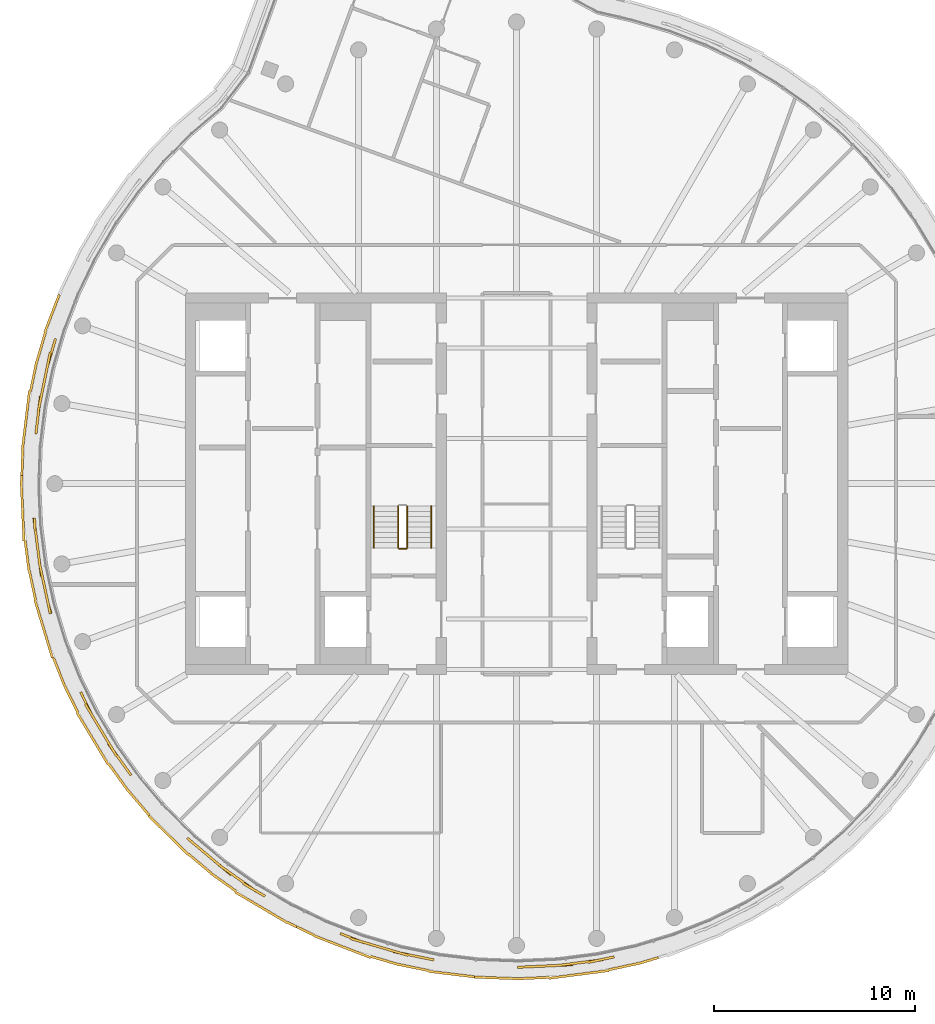
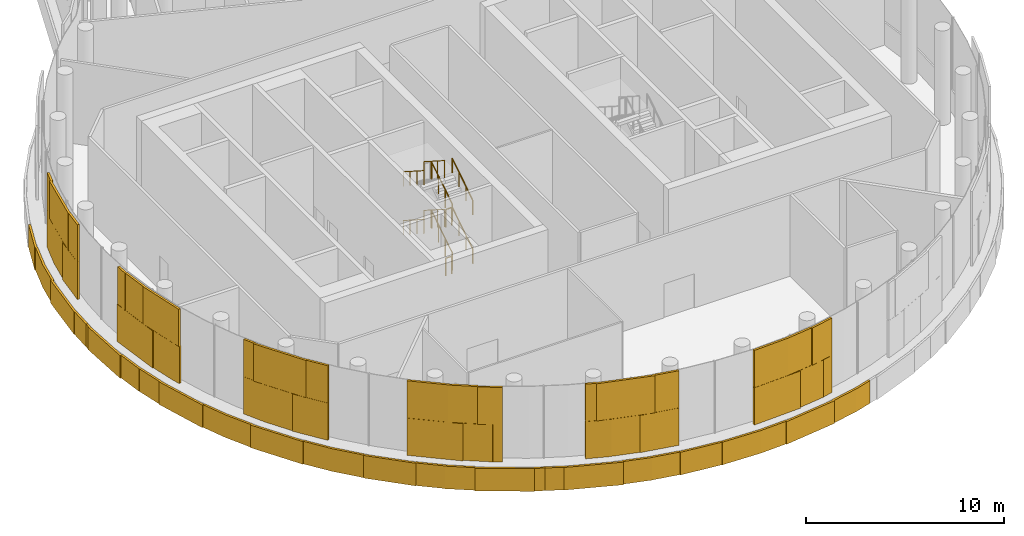
# One storey, part 15 of 18: 10 railings, 6 coverings.
"""IFC4 building model written with IfcOpenShell, lengths in metres."""

from ifc_helpers import new_model, si_unit, direction, frame, origin, origin_2d, place, context, subcontext, project, spatial, rectangle, circle, extrude, material, layer, layer_set, type_object, element, save


model = new_model("IFC4")

# Units and contexts
model_context = context("Model", 3, precision=1e-05, world=origin(), true_north=direction((0.0, 1.0)))
body_context = subcontext(model_context, "Body", "Model", "MODEL_VIEW")
ifc_project = project(units=[si_unit("LENGTHUNIT", "METRE"), si_unit("AREAUNIT", "SQUARE_METRE"), si_unit("VOLUMEUNIT", "CUBIC_METRE"), si_unit("PLANEANGLEUNIT", "RADIAN"), si_unit("MASSUNIT", "GRAM", prefix="KILO")], contexts=[model_context])

# Site, building, storey
site_placement = place(None, origin())
site = spatial("IfcSite", under=ifc_project, at=site_placement, CompositionType="ELEMENT")
building_placement = place(site_placement, origin())
building = spatial("IfcBuilding", under=site, at=building_placement, Name="Tamarind Cross Interchange Tower", CompositionType="ELEMENT")
storey_placement = place(building_placement, frame((0.0, 0.0, 299.39990234375)))
storey = spatial("IfcBuildingStorey", under=building, at=storey_placement, Name="L74", CompositionType="ELEMENT", Elevation=299.39990234375)

# Railings
ifc_material_1 = material(Name="Stair guard")
railing_type_1 = type_object("IfcRailingType", Name="Stair guard", PredefinedType="GUARDRAIL", material=ifc_material_1)
railing_1_placement = place(storey_placement, frame((-5.449951171875, -3.199951171875, 0.166748046875)))
element("IfcRailing", 1, at=railing_1_placement, inside=storey, type_object=railing_type_1, Name="L74 ST1 stair guard 1", PredefinedType="GUARDRAIL", context=body_context, shape_type="SweptSolid", body=[
    extrude(circle(Radius=0.02392578125, at=origin_2d()), frame((0.0, 0.0, 1.076171875), z_axis=(0.0, 0.84187453394, 0.539673298491), x_axis=(-1.0, 0.0, 0.0)), (0.0, 0.0, 1.0), 2.470458984375),
    extrude(circle(Radius=0.02099609375, at=origin_2d()), origin(), (0.0, 0.0, 1.0), 1.052001953125),
    extrude(circle(Radius=0.02099609375, at=origin_2d()), frame((0.0, 0.693359375, 0.4443359375)), (0.0, 0.0, 1.0), 1.052001953125),
    extrude(circle(Radius=0.02099609375, at=origin_2d()), frame((0.0, 1.386474609375, 0.888916015625)), (0.0, 0.0, 1.0), 1.052001953125),
    extrude(circle(Radius=0.02099609375, at=origin_2d()), frame((0.0, 2.079833984375, 1.333251953125)), (0.0, 0.0, 1.0), 1.052001953125),
])
railing_2_placement = place(storey_placement, frame((-5.89990234375, -1.1201171875, 1.666748046875)))
element("IfcRailing", 2, at=railing_2_placement, inside=storey, type_object=railing_type_1, Name="L74 ST1 stair guard 3", PredefinedType="GUARDRAIL", context=body_context, shape_type="SweptSolid", body=[
    extrude(circle(Radius=0.02392578125, at=origin_2d()), frame((0.0, 0.0, 1.076171875), z_axis=(0.0, -0.84187453394, 0.539673298491), x_axis=(1.0, 0.0, 0.0)), (0.0, 0.0, 1.0), 2.470458984375),
    extrude(circle(Radius=0.02099609375, at=origin_2d()), origin(), (0.0, 0.0, 1.0), 1.052001953125),
    extrude(circle(Radius=0.02099609375, at=origin_2d()), frame((0.0, -0.693359375, 0.4443359375)), (0.0, 0.0, 1.0), 1.052001953125),
    extrude(circle(Radius=0.02099609375, at=origin_2d()), frame((0.0, -1.386474609375, 0.888916015625)), (0.0, 0.0, 1.0), 1.052001953125),
    extrude(circle(Radius=0.02099609375, at=origin_2d()), frame((0.0, -2.079833984375, 1.333251953125)), (0.0, 0.0, 1.0), 1.052001953125),
])
railing_3_placement = place(storey_placement, frame((-5.5, -3.25, 3.0)))
element("IfcRailing", 3, at=railing_3_placement, inside=storey, type_object=railing_type_1, Name="L74 ST1 stair guard 4", PredefinedType="GUARDRAIL", context=body_context, shape_type="SweptSolid", body=[
    extrude(circle(Radius=0.02392578125, at=origin_2d()), frame((0.0, 0.0, 1.076171875), z_axis=(-1.0, 0.0, 0.0), x_axis=(0.0, -1.0, 0.0)), (0.0, 0.0, 1.0), 0.35009765625),
    extrude(circle(Radius=0.02099609375, at=origin_2d()), origin(), (0.0, 0.0, 1.0), 1.052001953125),
    extrude(circle(Radius=0.02099609375, at=origin_2d()), frame((-0.35009765625, 0.0, 0.0)), (0.0, 0.0, 1.0), 1.052001953125),
])
railing_4_placement = place(storey_placement, frame((-5.449951171875, -3.199951171875, 3.166748046875)))
element("IfcRailing", 4, at=railing_4_placement, inside=storey, type_object=railing_type_1, Name="L74 ST1 stair guard 5", PredefinedType="GUARDRAIL", context=body_context, shape_type="SweptSolid", body=[
    extrude(circle(Radius=0.02392578125, at=origin_2d()), frame((0.0, 0.0, 1.076171875), z_axis=(0.0, 0.84187453394, 0.539673298491), x_axis=(-1.0, 0.0, 0.0)), (0.0, 0.0, 1.0), 2.470458984375),
    extrude(circle(Radius=0.02099609375, at=origin_2d()), origin(), (0.0, 0.0, 1.0), 1.052001953125),
    extrude(circle(Radius=0.02099609375, at=origin_2d()), frame((0.0, 0.693359375, 0.4443359375)), (0.0, 0.0, 1.0), 1.052001953125),
    extrude(circle(Radius=0.02099609375, at=origin_2d()), frame((0.0, 1.386474609375, 0.888916015625)), (0.0, 0.0, 1.0), 1.052001953125),
    extrude(circle(Radius=0.02099609375, at=origin_2d()), frame((0.0, 2.079833984375, 1.333251953125)), (0.0, 0.0, 1.0), 1.052001953125),
])
railing_5_placement = place(storey_placement, frame((-5.89990234375, -1.1201171875, 4.666748046875)))
element("IfcRailing", 5, at=railing_5_placement, inside=storey, type_object=railing_type_1, Name="L74 ST1 stair guard 7", PredefinedType="GUARDRAIL", context=body_context, shape_type="SweptSolid", body=[
    extrude(circle(Radius=0.02392578125, at=origin_2d()), frame((0.0, 0.0, 1.076171875), z_axis=(0.0, -0.84187453394, 0.539673298491), x_axis=(1.0, 0.0, 0.0)), (0.0, 0.0, 1.0), 2.470458984375),
    extrude(circle(Radius=0.02099609375, at=origin_2d()), origin(), (0.0, 0.0, 1.0), 1.052001953125),
    extrude(circle(Radius=0.02099609375, at=origin_2d()), frame((0.0, -0.693359375, 0.4443359375)), (0.0, 0.0, 1.0), 1.052001953125),
    extrude(circle(Radius=0.02099609375, at=origin_2d()), frame((0.0, -1.386474609375, 0.888916015625)), (0.0, 0.0, 1.0), 1.052001953125),
    extrude(circle(Radius=0.02099609375, at=origin_2d()), frame((0.0, -2.079833984375, 1.333251953125)), (0.0, 0.0, 1.0), 1.052001953125),
])
railing_6_placement = place(storey_placement, frame((-5.5, -3.25, 0.0)))
element("IfcRailing", 6, at=railing_6_placement, inside=storey, type_object=railing_type_1, Name="L74 ST1 stair guard 8", PredefinedType="GUARDRAIL", context=body_context, shape_type="SweptSolid", body=[
    extrude(circle(Radius=0.02392578125, at=origin_2d()), frame((0.0, 0.0, 1.076171875), z_axis=(-1.0, 0.0, 0.0), x_axis=(0.0, -1.0, 0.0)), (0.0, 0.0, 1.0), 0.35009765625),
    extrude(circle(Radius=0.02099609375, at=origin_2d()), origin(), (0.0, 0.0, 1.0), 1.052001953125),
    extrude(circle(Radius=0.02099609375, at=origin_2d()), frame((-0.35009765625, 0.0, 0.0)), (0.0, 0.0, 1.0), 1.052001953125),
])
ifc_material_2 = material(Name="Stair handrail")
railing_type_2 = type_object("IfcRailingType", Name="Stair handrail", PredefinedType="HANDRAIL", material=ifc_material_2)
railing_7_placement = place(storey_placement, frame((-4.25, -3.199951171875, 0.166748046875)))
element("IfcRailing", 7, at=railing_7_placement, inside=storey, type_object=railing_type_2, Name="L74 ST1 stair handrail 1", PredefinedType="HANDRAIL", context=body_context, shape_type="SweptSolid", body=[
    extrude(circle(Radius=0.02392578125, at=origin_2d()), frame((0.0, 0.0, 0.8759765625), z_axis=(0.0, 0.84187453394, 0.539673298491), x_axis=(-1.0, 0.0, 0.0)), (0.0, 0.0, 1.0), 2.470458984375),
    extrude(circle(Radius=0.02099609375, at=origin_2d()), origin(), (0.0, 0.0, 1.0), 0.851806640625),
    extrude(circle(Radius=0.02099609375, at=origin_2d()), frame((0.0, 0.693359375, 0.4443359375)), (0.0, 0.0, 1.0), 0.851806640625),
    extrude(circle(Radius=0.02099609375, at=origin_2d()), frame((0.0, 1.386474609375, 0.888916015625)), (0.0, 0.0, 1.0), 0.851806640625),
    extrude(circle(Radius=0.02099609375, at=origin_2d()), frame((0.0, 2.079833984375, 1.333251953125)), (0.0, 0.0, 1.0), 0.851806640625),
])
railing_8_placement = place(storey_placement, frame((-7.10009765625, -1.1201171875, 1.666748046875)))
element("IfcRailing", 8, at=railing_8_placement, inside=storey, type_object=railing_type_2, Name="L74 ST1 stair handrail 2", PredefinedType="HANDRAIL", context=body_context, shape_type="SweptSolid", body=[
    extrude(circle(Radius=0.02392578125, at=origin_2d()), frame((0.0, 0.0, 0.8759765625), z_axis=(0.0, -0.84187453394, 0.539673298491), x_axis=(1.0, 0.0, 0.0)), (0.0, 0.0, 1.0), 2.470458984375),
    extrude(circle(Radius=0.02099609375, at=origin_2d()), origin(), (0.0, 0.0, 1.0), 0.851806640625),
    extrude(circle(Radius=0.02099609375, at=origin_2d()), frame((0.0, -0.693359375, 0.4443359375)), (0.0, 0.0, 1.0), 0.851806640625),
    extrude(circle(Radius=0.02099609375, at=origin_2d()), frame((0.0, -1.386474609375, 0.888916015625)), (0.0, 0.0, 1.0), 0.851806640625),
    extrude(circle(Radius=0.02099609375, at=origin_2d()), frame((0.0, -2.079833984375, 1.333251953125)), (0.0, 0.0, 1.0), 0.851806640625),
])
railing_9_placement = place(storey_placement, frame((-4.25, -3.199951171875, 3.166748046875)))
element("IfcRailing", 9, at=railing_9_placement, inside=storey, type_object=railing_type_2, Name="L74 ST1 stair handrail 3", PredefinedType="HANDRAIL", context=body_context, shape_type="SweptSolid", body=[
    extrude(circle(Radius=0.02392578125, at=origin_2d()), frame((0.0, 0.0, 0.8759765625), z_axis=(0.0, 0.84187453394, 0.539673298491), x_axis=(-1.0, 0.0, 0.0)), (0.0, 0.0, 1.0), 2.470458984375),
    extrude(circle(Radius=0.02099609375, at=origin_2d()), origin(), (0.0, 0.0, 1.0), 0.851806640625),
    extrude(circle(Radius=0.02099609375, at=origin_2d()), frame((0.0, 0.693359375, 0.4443359375)), (0.0, 0.0, 1.0), 0.851806640625),
    extrude(circle(Radius=0.02099609375, at=origin_2d()), frame((0.0, 1.386474609375, 0.888916015625)), (0.0, 0.0, 1.0), 0.851806640625),
    extrude(circle(Radius=0.02099609375, at=origin_2d()), frame((0.0, 2.079833984375, 1.333251953125)), (0.0, 0.0, 1.0), 0.851806640625),
])
railing_10_placement = place(storey_placement, frame((-7.10009765625, -1.1201171875, 4.666748046875)))
element("IfcRailing", 10, at=railing_10_placement, inside=storey, type_object=railing_type_2, Name="L74 ST1 stair handrail 4", PredefinedType="HANDRAIL", context=body_context, shape_type="SweptSolid", body=[
    extrude(circle(Radius=0.02392578125, at=origin_2d()), frame((0.0, 0.0, 0.8759765625), z_axis=(0.0, -0.84187453394, 0.539673298491), x_axis=(1.0, 0.0, 0.0)), (0.0, 0.0, 1.0), 2.470458984375),
    extrude(circle(Radius=0.02099609375, at=origin_2d()), origin(), (0.0, 0.0, 1.0), 0.851806640625),
    extrude(circle(Radius=0.02099609375, at=origin_2d()), frame((0.0, -0.693359375, 0.4443359375)), (0.0, 0.0, 1.0), 0.851806640625),
    extrude(circle(Radius=0.02099609375, at=origin_2d()), frame((0.0, -1.386474609375, 0.888916015625)), (0.0, 0.0, 1.0), 0.851806640625),
    extrude(circle(Radius=0.02099609375, at=origin_2d()), frame((0.0, -2.079833984375, 1.333251953125)), (0.0, 0.0, 1.0), 0.851806640625),
])

# Coverings
ifc_material_3 = material(Name="Terracotta", Category="masonry")
ifc_layer = layer(ifc_material_3, 0.1201171875)
ifc_layer_set = layer_set([ifc_layer], Name="Terracotta")
covering_type = type_object("IfcCoveringType", Name="Terracotta baguette screen unit", PredefinedType="MOLDING", material=ifc_layer_set)
covering_1_placement = place(storey_placement, origin())
element("IfcCovering", 11, at=covering_1_placement, inside=storey, type_object=covering_type, Name="SCR-L74-02-01", PredefinedType="MOLDING", context=body_context, shape_type="SweptSolid", body=[
    extrude(rectangle(XDim=1.483154296875, YDim=0.1201171875, at=origin_2d()), frame((-23.16845703125, 6.51416015625, 1.404052734375), z_axis=(0.0, 0.0, 1.0), x_axis=(-0.281208920763, -0.95964657186, 0.0)), (0.0, 0.0, 1.0), 2.2919921875),
    extrude(rectangle(XDim=1.52001953125, YDim=0.1201171875, at=origin_2d()), frame((-23.526123046875, 5.072509765625, 1.404052734375), z_axis=(0.0, 0.0, 1.0), x_axis=(-0.201001463943, -0.9795909409, 0.0)), (0.0, 0.0, 1.0), 2.2919921875),
    extrude(rectangle(XDim=1.52001953125, YDim=0.1201171875, at=origin_2d()), frame((-23.805908203125, 3.599609375, 1.404052734375), z_axis=(0.0, 0.0, 1.0), x_axis=(-0.119420963295, -0.992843710523, 0.0)), (0.0, 0.0, 1.0), 2.2919921875),
    extrude(rectangle(XDim=0.380126953125, YDim=0.1201171875, at=origin_2d()), frame((-23.917724609375, 2.671142578125, 1.404052734375), z_axis=(0.0, 0.0, 1.0), x_axis=(-0.119420963295, -0.992843710523, 0.0)), (0.0, 0.0, 1.0), 2.2919921875),
    extrude(rectangle(XDim=0.733154296875, YDim=0.1201171875, at=origin_2d()), frame((-23.06298828125, 6.8740234375, 3.7041015625), z_axis=(0.0, 0.0, 1.0), x_axis=(-0.281208920763, -0.95964657186, 0.0)), (0.0, 0.0, 1.0), 2.2919921875),
    extrude(rectangle(XDim=1.52001953125, YDim=0.1201171875, at=origin_2d()), frame((-23.375244140625, 5.80712890625, 3.7041015625), z_axis=(0.0, 0.0, 1.0), x_axis=(-0.201001463943, -0.9795909409, 0.0)), (0.0, 0.0, 1.0), 2.2919921875),
    extrude(rectangle(XDim=1.52001953125, YDim=0.1201171875, at=origin_2d()), frame((-23.6767578125, 4.337890625, 3.7041015625), z_axis=(0.0, 0.0, 1.0), x_axis=(-0.201001463943, -0.9795909409, 0.0)), (0.0, 0.0, 1.0), 2.2919921875),
    extrude(rectangle(XDim=1.130126953125, YDim=0.1201171875, at=origin_2d()), frame((-23.872802734375, 3.04345703125, 3.7041015625), z_axis=(0.0, 0.0, 1.0), x_axis=(-0.119420963295, -0.992843710523, 0.0)), (0.0, 0.0, 1.0), 2.2919921875),
    extrude(rectangle(XDim=0.520751953125, YDim=0.1201171875, at=origin_2d()), frame((-22.87158203125, 9.170654296875, 0.004150390625), z_axis=(0.0, 0.0, 1.0), x_axis=(-0.359495435512, -0.933146843667, 0.0)), (0.0, 0.0, 1.0), 1.39208984375),
    extrude(rectangle(XDim=1.52001953125, YDim=0.1201171875, at=origin_2d()), frame((-23.231201171875, 8.2373046875, 0.004150390625), z_axis=(0.0, 0.0, 1.0), x_axis=(-0.359495435512, -0.933146843667, 0.0)), (0.0, 0.0, 1.0), 1.39208984375),
    extrude(rectangle(XDim=1.52001953125, YDim=0.1201171875, at=origin_2d()), frame((-23.680908203125, 6.80712890625, 0.004150390625), z_axis=(0.0, 0.0, 1.0), x_axis=(-0.281208920763, -0.95964657186, 0.0)), (0.0, 0.0, 1.0), 1.39208984375),
    extrude(rectangle(XDim=1.52001953125, YDim=0.1201171875, at=origin_2d()), frame((-24.053955078125, 5.35546875, 0.004150390625), z_axis=(0.0, 0.0, 1.0), x_axis=(-0.201001463943, -0.9795909409, 0.0)), (0.0, 0.0, 1.0), 1.39208984375),
    extrude(rectangle(XDim=1.52001953125, YDim=0.1201171875, at=origin_2d()), frame((-24.349853515625, 3.88525390625, 0.004150390625), z_axis=(0.0, 0.0, 1.0), x_axis=(-0.119420963295, -0.992843710523, 0.0)), (0.0, 0.0, 1.0), 1.39208984375),
    extrude(rectangle(XDim=1.52001953125, YDim=0.1201171875, at=origin_2d()), frame((-24.52880859375, 2.39599609375, 0.004150390625), z_axis=(0.0, 0.0, 1.0), x_axis=(-0.119420963295, -0.992843710523, 0.0)), (0.0, 0.0, 1.0), 1.39208984375),
    extrude(rectangle(XDim=1.25830078125, YDim=0.1201171875, at=origin_2d()), frame((-24.6181640625, 1.03076171875, 0.004150390625), z_axis=(0.0, 0.0, 1.0), x_axis=(-0.037024696392, -0.999314350871, 0.0)), (0.0, 0.0, 1.0), 1.39208984375),
])
covering_2_placement = place(storey_placement, origin())
element("IfcCovering", 12, at=covering_2_placement, inside=storey, type_object=covering_type, Name="SCR-L74-02-02", PredefinedType="MOLDING", context=body_context, shape_type="SweptSolid", body=[
    extrude(rectangle(XDim=1.439697265625, YDim=0.1201171875, at=origin_2d()), frame((-23.953125, -2.4169921875, 1.404052734375), z_axis=(0.0, 0.0, 1.0), x_axis=(0.127962008342, -0.991779070368, 0.0)), (0.0, 0.0, 1.0), 2.2919921875),
    extrude(rectangle(XDim=1.52001953125, YDim=0.1201171875, at=origin_2d()), frame((-23.765625, -3.869873046875, 1.404052734375), z_axis=(0.0, 0.0, 1.0), x_axis=(0.127962008342, -0.991779070368, 0.0)), (0.0, 0.0, 1.0), 2.2919921875),
    extrude(rectangle(XDim=1.52001953125, YDim=0.1201171875, at=origin_2d()), frame((-23.467529296875, -5.33935546875, 1.404052734375), z_axis=(0.0, 0.0, 1.0), x_axis=(0.209425419705, -0.977824623121, 0.0)), (0.0, 0.0, 1.0), 2.2919921875),
    extrude(rectangle(XDim=0.4228515625, YDim=0.1201171875, at=origin_2d()), frame((-23.245849609375, -6.26904296875, 1.404052734375), z_axis=(0.0, 0.0, 1.0), x_axis=(0.289458243079, -0.957190642199, 0.0)), (0.0, 0.0, 1.0), 2.2919921875),
    extrude(rectangle(XDim=0.689697265625, YDim=0.1201171875, at=origin_2d()), frame((-23.9970703125, -2.044677734375, 3.7041015625), z_axis=(0.0, 0.0, 1.0), x_axis=(0.045624486728, -0.998958660912, 0.0)), (0.0, 0.0, 1.0), 2.2919921875),
    extrude(rectangle(XDim=1.52001953125, YDim=0.1201171875, at=origin_2d()), frame((-23.861572265625, -3.1259765625, 3.7041015625), z_axis=(0.0, 0.0, 1.0), x_axis=(0.127962008342, -0.991779070368, 0.0)), (0.0, 0.0, 1.0), 2.2919921875),
    extrude(rectangle(XDim=1.52001953125, YDim=0.1201171875, at=origin_2d()), frame((-23.624755859375, -4.60595703125, 3.7041015625), z_axis=(0.0, 0.0, 1.0), x_axis=(0.209425419705, -0.977824623121, 0.0)), (0.0, 0.0, 1.0), 2.2919921875),
    extrude(rectangle(XDim=1.1728515625, YDim=0.1201171875, at=origin_2d()), frame((-23.345947265625, -5.907958984375, 3.7041015625), z_axis=(0.0, 0.0, 1.0), x_axis=(0.209425419705, -0.977824623121, 0.0)), (0.0, 0.0, 1.0), 2.2919921875),
    extrude(rectangle(XDim=0.26171875, YDim=0.1201171875, at=origin_2d()), frame((-24.646240234375, 0.271240234375, 0.004150390625), z_axis=(0.0, 0.0, 1.0), x_axis=(-0.037024696392, -0.999314350871, 0.0)), (0.0, 0.0, 1.0), 1.39208984375),
    extrude(rectangle(XDim=1.52001953125, YDim=0.1201171875, at=origin_2d()), frame((-24.6376953125, -0.598876953125, 0.004150390625), z_axis=(0.0, 0.0, 1.0), x_axis=(0.045624486728, -0.998958660912, 0.0)), (0.0, 0.0, 1.0), 1.39208984375),
    extrude(rectangle(XDim=1.52001953125, YDim=0.1201171875, at=origin_2d()), frame((-24.5693359375, -2.09716796875, 0.004150390625), z_axis=(0.0, 0.0, 1.0), x_axis=(0.045624486728, -0.998958660912, 0.0)), (0.0, 0.0, 1.0), 1.39208984375),
    extrude(rectangle(XDim=1.52001953125, YDim=0.1201171875, at=origin_2d()), frame((-24.381103515625, -3.585205078125, 0.004150390625), z_axis=(0.0, 0.0, 1.0), x_axis=(0.127962008342, -0.991779070368, 0.0)), (0.0, 0.0, 1.0), 1.39208984375),
    extrude(rectangle(XDim=1.52001953125, YDim=0.1201171875, at=origin_2d()), frame((-24.114501953125, -5.06005859375, 0.004150390625), z_axis=(0.0, 0.0, 1.0), x_axis=(0.209425419705, -0.977824623121, 0.0)), (0.0, 0.0, 1.0), 1.39208984375),
    extrude(rectangle(XDim=1.52001953125, YDim=0.1201171875, at=origin_2d()), frame((-23.77001953125, -6.51904296875, 0.004150390625), z_axis=(0.0, 0.0, 1.0), x_axis=(0.289458243079, -0.957190642199, 0.0)), (0.0, 0.0, 1.0), 1.39208984375),
    extrude(rectangle(XDim=1.52001953125, YDim=0.1201171875, at=origin_2d()), frame((-23.3359375, -7.954833984375, 0.004150390625), z_axis=(0.0, 0.0, 1.0), x_axis=(0.289458243079, -0.957190642199, 0.0)), (0.0, 0.0, 1.0), 1.39208984375),
])
covering_3_placement = place(storey_placement, origin())
element("IfcCovering", 13, at=covering_3_placement, inside=storey, type_object=covering_type, Name="SCR-L74-02-03", PredefinedType="MOLDING", context=body_context, shape_type="SweptSolid", body=[
    extrude(rectangle(XDim=1.397216796875, YDim=0.1201171875, at=origin_2d()), frame((-21.4013671875, -11.012451171875, 1.404052734375), z_axis=(0.0, 0.0, 1.0), x_axis=(0.443058811505, -0.896492548518, 0.0)), (0.0, 0.0, 1.0), 2.2919921875),
    extrude(rectangle(XDim=1.52001953125, YDim=0.1201171875, at=origin_2d()), frame((-20.700927734375, -12.2734375, 1.404052734375), z_axis=(0.0, 0.0, 1.0), x_axis=(0.515577308909, -0.856843065292, 0.0)), (0.0, 0.0, 1.0), 2.2919921875),
    extrude(rectangle(XDim=1.52001953125, YDim=0.1201171875, at=origin_2d()), frame((-19.903564453125, -13.54296875, 1.404052734375), z_axis=(0.0, 0.0, 1.0), x_axis=(0.584573890505, -0.811340475102, 0.0)), (0.0, 0.0, 1.0), 2.2919921875),
    extrude(rectangle(XDim=0.46630859375, YDim=0.1201171875, at=origin_2d()), frame((-19.331787109375, -14.33642578125, 1.404052734375), z_axis=(0.0, 0.0, 1.0), x_axis=(0.584573890505, -0.811340475102, 0.0)), (0.0, 0.0, 1.0), 2.2919921875),
    extrude(rectangle(XDim=0.647216796875, YDim=0.1201171875, at=origin_2d()), frame((-21.567626953125, -10.67626953125, 3.7041015625), z_axis=(0.0, 0.0, 1.0), x_axis=(0.443058811505, -0.896492548518, 0.0)), (0.0, 0.0, 1.0), 2.2919921875),
    extrude(rectangle(XDim=1.52001953125, YDim=0.1201171875, at=origin_2d()), frame((-21.087646484375, -11.630859375, 3.7041015625), z_axis=(0.0, 0.0, 1.0), x_axis=(0.515577308909, -0.856843065292, 0.0)), (0.0, 0.0, 1.0), 2.2919921875),
    extrude(rectangle(XDim=1.52001953125, YDim=0.1201171875, at=origin_2d()), frame((-20.314453125, -12.916015625, 3.7041015625), z_axis=(0.0, 0.0, 1.0), x_axis=(0.515577308909, -0.856843065292, 0.0)), (0.0, 0.0, 1.0), 2.2919921875),
    extrude(rectangle(XDim=1.21630859375, YDim=0.1201171875, at=origin_2d()), frame((-19.551025390625, -14.0322265625, 3.7041015625), z_axis=(0.0, 0.0, 1.0), x_axis=(0.584573890505, -0.811340475102, 0.0)), (0.0, 0.0, 1.0), 2.2919921875),
    extrude(rectangle(XDim=1.50341796875, YDim=0.1201171875, at=origin_2d()), frame((-22.7939453125, -9.36181640625, 0.004150390625), z_axis=(0.0, 0.0, 1.0), x_axis=(0.367513773146, -0.930018078613, 0.0)), (0.0, 0.0, 1.0), 1.39208984375),
    extrude(rectangle(XDim=1.52001953125, YDim=0.1201171875, at=origin_2d()), frame((-22.18505859375, -10.722412109375, 0.004150390625), z_axis=(0.0, 0.0, 1.0), x_axis=(0.443058811505, -0.896492548518, 0.0)), (0.0, 0.0, 1.0), 1.39208984375),
    extrude(rectangle(XDim=1.52001953125, YDim=0.1201171875, at=origin_2d()), frame((-21.50146484375, -12.056640625, 0.004150390625), z_axis=(0.0, 0.0, 1.0), x_axis=(0.515577308909, -0.856843065292, 0.0)), (0.0, 0.0, 1.0), 1.39208984375),
    extrude(rectangle(XDim=1.52001953125, YDim=0.1201171875, at=origin_2d()), frame((-20.72802734375, -13.341796875, 0.004150390625), z_axis=(0.0, 0.0, 1.0), x_axis=(0.515577308909, -0.856843065292, 0.0)), (0.0, 0.0, 1.0), 1.39208984375),
    extrude(rectangle(XDim=1.52001953125, YDim=0.1201171875, at=origin_2d()), frame((-19.8701171875, -14.5712890625, 0.004150390625), z_axis=(0.0, 0.0, 1.0), x_axis=(0.584573890505, -0.811340475102, 0.0)), (0.0, 0.0, 1.0), 1.39208984375),
    extrude(rectangle(XDim=1.52001953125, YDim=0.1201171875, at=origin_2d()), frame((-18.948486328125, -15.753173828125, 0.004150390625), z_axis=(0.0, 0.0, 1.0), x_axis=(0.64957723968, -0.760295606781, 0.0)), (0.0, 0.0, 1.0), 1.39208984375),
    extrude(rectangle(XDim=0.275634765625, YDim=0.1201171875, at=origin_2d()), frame((-18.37841796875, -16.420654296875, 0.004150390625), z_axis=(0.0, 0.0, 1.0), x_axis=(0.64957723968, -0.760295606781, 0.0)), (0.0, 0.0, 1.0), 1.39208984375),
])
covering_4_placement = place(storey_placement, origin())
element("IfcCovering", 14, at=covering_4_placement, inside=storey, type_object=covering_type, Name="SCR-L74-02-04", PredefinedType="MOLDING", context=body_context, shape_type="SweptSolid", body=[
    extrude(rectangle(XDim=1.353759765625, YDim=0.1201171875, at=origin_2d()), frame((-15.888916015625, -18.082763671875, 1.404052734375), z_axis=(0.0, 0.0, 1.0), x_axis=(0.765858396687, -0.643009266048, 0.0)), (0.0, 0.0, 1.0), 2.2919921875),
    extrude(rectangle(XDim=1.52001953125, YDim=0.1201171875, at=origin_2d()), frame((-14.7998046875, -18.9970703125, 1.404052734375), z_axis=(0.0, 0.0, 1.0), x_axis=(0.765858396687, -0.643009266048, 0.0)), (0.0, 0.0, 1.0), 2.2919921875),
    extrude(rectangle(XDim=1.52001953125, YDim=0.1201171875, at=origin_2d()), frame((-13.5810546875, -19.870849609375, 1.404052734375), z_axis=(0.0, 0.0, 1.0), x_axis=(0.816341886298, -0.577568978284, 0.0)), (0.0, 0.0, 1.0), 2.2919921875),
    extrude(rectangle(XDim=0.5087890625, YDim=0.1201171875, at=origin_2d()), frame((-12.74755859375, -20.420654296875, 1.404052734375), z_axis=(0.0, 0.0, 1.0), x_axis=(0.861248933065, -0.508183308752, 0.0)), (0.0, 0.0, 1.0), 2.2919921875),
    extrude(rectangle(XDim=0.603759765625, YDim=0.1201171875, at=origin_2d()), frame((-16.176025390625, -17.841552734375, 3.7041015625), z_axis=(0.0, 0.0, 1.0), x_axis=(0.765858396687, -0.643009266048, 0.0)), (0.0, 0.0, 1.0), 2.2919921875),
    extrude(rectangle(XDim=1.52001953125, YDim=0.1201171875, at=origin_2d()), frame((-15.374267578125, -18.5146484375, 3.7041015625), z_axis=(0.0, 0.0, 1.0), x_axis=(0.765858396687, -0.643009266048, 0.0)), (0.0, 0.0, 1.0), 2.2919921875),
    extrude(rectangle(XDim=1.52001953125, YDim=0.1201171875, at=origin_2d()), frame((-14.193359375, -19.437744140625, 3.7041015625), z_axis=(0.0, 0.0, 1.0), x_axis=(0.816341886298, -0.577568978284, 0.0)), (0.0, 0.0, 1.0), 2.2919921875),
    extrude(rectangle(XDim=1.2587890625, YDim=0.1201171875, at=origin_2d()), frame((-13.070556640625, -20.230224609375, 3.7041015625), z_axis=(0.0, 0.0, 1.0), x_axis=(0.861248933065, -0.508183308752, 0.0)), (0.0, 0.0, 1.0), 2.2919921875),
    extrude(rectangle(XDim=1.244384765625, YDim=0.1201171875, at=origin_2d()), frame((-17.8671875, -16.982421875, 0.004150390625), z_axis=(0.0, 0.0, 1.0), x_axis=(0.710143317658, -0.704057148523, 0.0)), (0.0, 0.0, 1.0), 1.39208984375),
    extrude(rectangle(XDim=1.52001953125, YDim=0.1201171875, at=origin_2d()), frame((-16.89990234375, -17.94140625, 0.004150390625), z_axis=(0.0, 0.0, 1.0), x_axis=(0.710143317658, -0.704057148523, 0.0)), (0.0, 0.0, 1.0), 1.39208984375),
    extrude(rectangle(XDim=1.52001953125, YDim=0.1201171875, at=origin_2d()), frame((-15.772705078125, -18.9296875, 0.004150390625), z_axis=(0.0, 0.0, 1.0), x_axis=(0.765858396687, -0.643009266048, 0.0)), (0.0, 0.0, 1.0), 1.39208984375),
    extrude(rectangle(XDim=1.52001953125, YDim=0.1201171875, at=origin_2d()), frame((-14.594970703125, -19.856689453125, 0.004150390625), z_axis=(0.0, 0.0, 1.0), x_axis=(0.816341886298, -0.577568978284, 0.0)), (0.0, 0.0, 1.0), 1.39208984375),
    extrude(rectangle(XDim=1.52001953125, YDim=0.1201171875, at=origin_2d()), frame((-13.368896484375, -20.720458984375, 0.004150390625), z_axis=(0.0, 0.0, 1.0), x_axis=(0.861248933065, -0.508183308752, 0.0)), (0.0, 0.0, 1.0), 1.39208984375),
    extrude(rectangle(XDim=1.52001953125, YDim=0.1201171875, at=origin_2d()), frame((-12.0771484375, -21.48291015625, 0.004150390625), z_axis=(0.0, 0.0, 1.0), x_axis=(0.861248933065, -0.508183308752, 0.0)), (0.0, 0.0, 1.0), 1.39208984375),
    extrude(rectangle(XDim=0.533935546875, YDim=0.1201171875, at=origin_2d()), frame((-11.190185546875, -21.957763671875, 0.004150390625), z_axis=(0.0, 0.0, 1.0), x_axis=(0.900272776334, -0.435326231914, 0.0)), (0.0, 0.0, 1.0), 1.39208984375),
])
covering_5_placement = place(storey_placement, origin())
element("IfcCovering", 15, at=covering_5_placement, inside=storey, type_object=covering_type, Name="SCR-L74-02-05", PredefinedType="MOLDING", context=body_context, shape_type="SweptSolid", body=[
    extrude(rectangle(XDim=1.31103515625, YDim=0.1201171875, at=origin_2d()), frame((-8.168701171875, -22.642578125, 1.404052734375), z_axis=(0.0, 0.0, 1.0), x_axis=(0.933146843667, -0.359495435512, 0.0)), (0.0, 0.0, 1.0), 2.2919921875),
    extrude(rectangle(XDim=1.52001953125, YDim=0.1201171875, at=origin_2d()), frame((-6.83740234375, -23.07373046875, 1.404052734375), z_axis=(0.0, 0.0, 1.0), x_axis=(0.95964657186, -0.281208920763, 0.0)), (0.0, 0.0, 1.0), 2.2919921875),
    extrude(rectangle(XDim=1.52001953125, YDim=0.1201171875, at=origin_2d()), frame((-5.389404296875, -23.4609375, 1.404052734375), z_axis=(0.0, 0.0, 1.0), x_axis=(0.9795909409, -0.201001463943, 0.0)), (0.0, 0.0, 1.0), 2.2919921875),
    extrude(rectangle(XDim=0.55224609375, YDim=0.1201171875, at=origin_2d()), frame((-4.38916015625, -23.666259765625, 1.404052734375), z_axis=(0.0, 0.0, 1.0), x_axis=(0.9795909409, -0.201001463943, 0.0)), (0.0, 0.0, 1.0), 2.2919921875),
    extrude(rectangle(XDim=0.56103515625, YDim=0.1201171875, at=origin_2d()), frame((-8.518798828125, -22.5078125, 3.7041015625), z_axis=(0.0, 0.0, 1.0), x_axis=(0.933146843667, -0.359495435512, 0.0)), (0.0, 0.0, 1.0), 2.2919921875),
    extrude(rectangle(XDim=1.52001953125, YDim=0.1201171875, at=origin_2d()), frame((-7.55712890625, -22.86279296875, 3.7041015625), z_axis=(0.0, 0.0, 1.0), x_axis=(0.95964657186, -0.281208920763, 0.0)), (0.0, 0.0, 1.0), 2.2919921875),
    extrude(rectangle(XDim=1.52001953125, YDim=0.1201171875, at=origin_2d()), frame((-6.11767578125, -23.28466796875, 3.7041015625), z_axis=(0.0, 0.0, 1.0), x_axis=(0.95964657186, -0.281208920763, 0.0)), (0.0, 0.0, 1.0), 2.2919921875),
    extrude(rectangle(XDim=1.30224609375, YDim=0.1201171875, at=origin_2d()), frame((-4.75634765625, -23.5908203125, 3.7041015625), z_axis=(0.0, 0.0, 1.0), x_axis=(0.9795909409, -0.201001463943, 0.0)), (0.0, 0.0, 1.0), 2.2919921875),
    extrude(rectangle(XDim=0.986083984375, YDim=0.1201171875, at=origin_2d()), frame((-10.506103515625, -22.288818359375, 0.004150390625), z_axis=(0.0, 0.0, 1.0), x_axis=(0.900272776334, -0.435326231914, 0.0)), (0.0, 0.0, 1.0), 1.39208984375),
    extrude(rectangle(XDim=1.52001953125, YDim=0.1201171875, at=origin_2d()), frame((-9.380859375, -22.790771484375, 0.004150390625), z_axis=(0.0, 0.0, 1.0), x_axis=(0.933146843667, -0.359495435512, 0.0)), (0.0, 0.0, 1.0), 1.39208984375),
    extrude(rectangle(XDim=1.52001953125, YDim=0.1201171875, at=origin_2d()), frame((-7.981201171875, -23.329833984375, 0.004150390625), z_axis=(0.0, 0.0, 1.0), x_axis=(0.933146843667, -0.359495435512, 0.0)), (0.0, 0.0, 1.0), 1.39208984375),
    extrude(rectangle(XDim=1.52001953125, YDim=0.1201171875, at=origin_2d()), frame((-6.543701171875, -23.758056640625, 0.004150390625), z_axis=(0.0, 0.0, 1.0), x_axis=(0.95964657186, -0.281208920763, 0.0)), (0.0, 0.0, 1.0), 1.39208984375),
    extrude(rectangle(XDim=1.52001953125, YDim=0.1201171875, at=origin_2d()), frame((-5.086669921875, -24.109130859375, 0.004150390625), z_axis=(0.0, 0.0, 1.0), x_axis=(0.9795909409, -0.201001463943, 0.0)), (0.0, 0.0, 1.0), 1.39208984375),
    extrude(rectangle(XDim=1.52001953125, YDim=0.1201171875, at=origin_2d()), frame((-3.61279296875, -24.382568359375, 0.004150390625), z_axis=(0.0, 0.0, 1.0), x_axis=(0.992843710523, -0.119420963295, 0.0)), (0.0, 0.0, 1.0), 1.39208984375),
    extrude(rectangle(XDim=0.79296875, YDim=0.1201171875, at=origin_2d()), frame((-2.484375, -24.518310546875, 0.004150390625), z_axis=(0.0, 0.0, 1.0), x_axis=(0.992843710523, -0.119420963295, 0.0)), (0.0, 0.0, 1.0), 1.39208984375),
])
covering_6_placement = place(storey_placement, origin())
element("IfcCovering", 16, at=covering_6_placement, inside=storey, type_object=covering_type, Name="SCR-L74-02-06", PredefinedType="MOLDING", context=body_context, shape_type="SweptSolid", body=[
    extrude(rectangle(XDim=1.267822265625, YDim=0.1201171875, at=origin_2d()), frame((0.683837890625, -24.059326171875, 1.404052734375), z_axis=(0.0, 0.0, 1.0), x_axis=(0.998958660912, 0.045624486728, 0.0)), (0.0, 0.0, 1.0), 2.2919921875),
    extrude(rectangle(XDim=1.52001953125, YDim=0.1201171875, at=origin_2d()), frame((2.061279296875, -23.996337890625, 1.404052734375), z_axis=(0.0, 0.0, 1.0), x_axis=(0.998958660912, 0.045624486728, 0.0)), (0.0, 0.0, 1.0), 2.2919921875),
    extrude(rectangle(XDim=1.52001953125, YDim=0.1201171875, at=origin_2d()), frame((3.549072265625, -23.80712890625, 1.404052734375), z_axis=(0.0, 0.0, 1.0), x_axis=(0.991779070368, 0.127962008342, 0.0)), (0.0, 0.0, 1.0), 2.2919921875),
    extrude(rectangle(XDim=0.594970703125, YDim=0.1201171875, at=origin_2d()), frame((4.57568359375, -23.631103515625, 1.404052734375), z_axis=(0.0, 0.0, 1.0), x_axis=(0.977824623121, 0.209425419705, 0.0)), (0.0, 0.0, 1.0), 2.2919921875),
    extrude(rectangle(XDim=0.517822265625, YDim=0.1201171875, at=origin_2d()), frame((0.30908203125, -24.076416015625, 3.7041015625), z_axis=(0.0, 0.0, 1.0), x_axis=(0.998958660912, 0.045624486728, 0.0)), (0.0, 0.0, 1.0), 2.2919921875),
    extrude(rectangle(XDim=1.52001953125, YDim=0.1201171875, at=origin_2d()), frame((1.31201171875, -24.030517578125, 3.7041015625), z_axis=(0.0, 0.0, 1.0), x_axis=(0.998958660912, 0.045624486728, 0.0)), (0.0, 0.0, 1.0), 2.2919921875),
    extrude(rectangle(XDim=1.52001953125, YDim=0.1201171875, at=origin_2d()), frame((2.80517578125, -23.903076171875, 3.7041015625), z_axis=(0.0, 0.0, 1.0), x_axis=(0.991779070368, 0.127962008342, 0.0)), (0.0, 0.0, 1.0), 2.2919921875),
    extrude(rectangle(XDim=1.344970703125, YDim=0.1201171875, at=origin_2d()), frame((4.208984375, -23.709716796875, 3.7041015625), z_axis=(0.0, 0.0, 1.0), x_axis=(0.977824623121, 0.209425419705, 0.0)), (0.0, 0.0, 1.0), 2.2919921875),
    extrude(rectangle(XDim=0.72705078125, YDim=0.1201171875, at=origin_2d()), frame((-1.728515625, -24.59228515625, 0.004150390625), z_axis=(0.0, 0.0, 1.0), x_axis=(0.999314350871, -0.037024696392, 0.0)), (0.0, 0.0, 1.0), 1.39208984375),
    extrude(rectangle(XDim=1.52001953125, YDim=0.1201171875, at=origin_2d()), frame((-0.625732421875, -24.633056640625, 0.004150390625), z_axis=(0.0, 0.0, 1.0), x_axis=(0.999314350871, -0.037024696392, 0.0)), (0.0, 0.0, 1.0), 1.39208984375),
    extrude(rectangle(XDim=1.52001953125, YDim=0.1201171875, at=origin_2d()), frame((0.872802734375, -24.625244140625, 0.004150390625), z_axis=(0.0, 0.0, 1.0), x_axis=(0.998958660912, 0.045624486728, 0.0)), (0.0, 0.0, 1.0), 1.39208984375),
    extrude(rectangle(XDim=1.52001953125, YDim=0.1201171875, at=origin_2d()), frame((2.36962890625, -24.537841796875, 0.004150390625), z_axis=(0.0, 0.0, 1.0), x_axis=(0.991779070368, 0.127962008342, 0.0)), (0.0, 0.0, 1.0), 1.39208984375),
    extrude(rectangle(XDim=1.52001953125, YDim=0.1201171875, at=origin_2d()), frame((3.857421875, -24.345947265625, 0.004150390625), z_axis=(0.0, 0.0, 1.0), x_axis=(0.991779070368, 0.127962008342, 0.0)), (0.0, 0.0, 1.0), 1.39208984375),
    extrude(rectangle(XDim=1.52001953125, YDim=0.1201171875, at=origin_2d()), frame((5.328369140625, -24.05712890625, 0.004150390625), z_axis=(0.0, 0.0, 1.0), x_axis=(0.977824623121, 0.209425419705, 0.0)), (0.0, 0.0, 1.0), 1.39208984375),
    extrude(rectangle(XDim=1.05126953125, YDim=0.1201171875, at=origin_2d()), frame((6.557373046875, -23.758544921875, 0.004150390625), z_axis=(0.0, 0.0, 1.0), x_axis=(0.957190642199, 0.289458243079, 0.0)), (0.0, 0.0, 1.0), 1.39208984375),
])

save(model, "model.ifc")
